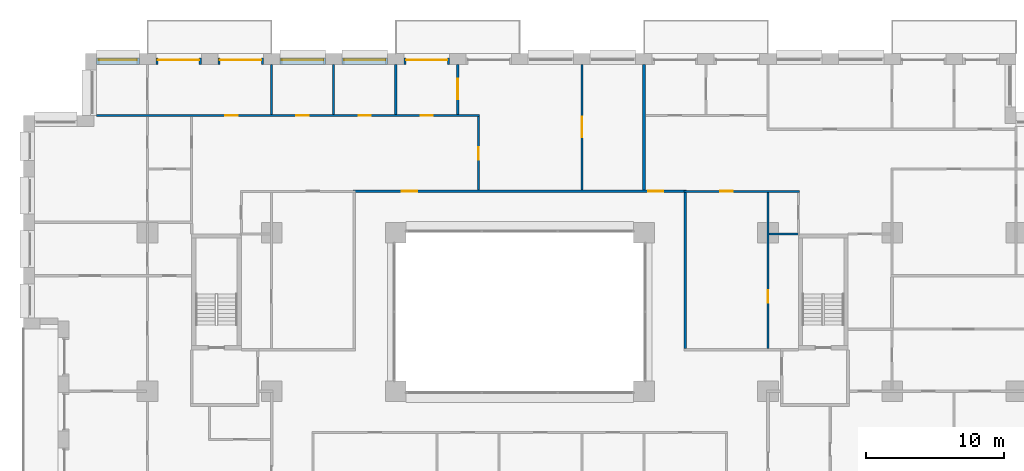
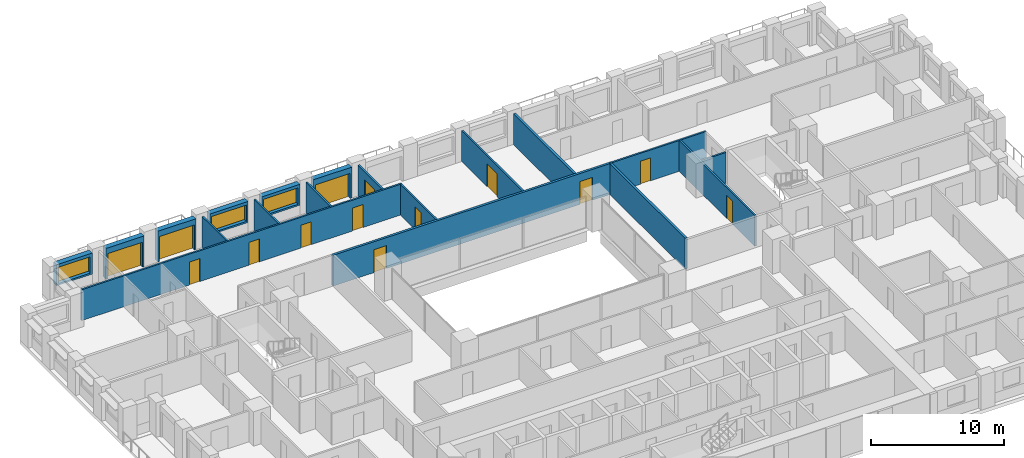
# One storey, part 15 of 21: 19 walls, 14 doors, 3 windows, 17 openings.
"""IFC4 building model written with IfcOpenShell, lengths in metres."""

import ifcopenshell
import ifcopenshell.guid

model = None  # the IFC model being written
_history = None  # IfcOwnerHistory: only IFC2X3 demands one
_inside = {}  # id of a spatial element -> (the spatial element, [elements in it])
_under = {}  # id of a project, library or spatial element -> (it, [spatial elements below it])
_declared = {}  # id of a project -> (the project, [libraries it declares])
_typed = {}  # id of a type object -> (the type object, [elements of that type])
_made_of = {}  # id of a material, layer set ... -> (it, [elements and type objects made of it])


def new_model(schema):
    """Start an empty IFC model of exactly this schema.

    Asked for "IFC4X3", IfcOpenShell would pick the latest addendum, in which some entities
    have other attributes; the version numbers below select the first issue.
    IFC2X3 requires an IfcOwnerHistory on every rooted entity: one is made here for all.
    """
    global model, _history
    if schema == "IFC4X3":
        model = ifcopenshell.file(schema_version=(4, 3, 0, 0))
    else:
        model = ifcopenshell.file(schema=schema)
    _inside.clear()
    _under.clear()
    _declared.clear()
    _typed.clear()
    _made_of.clear()
    _history = None
    if model.schema == "IFC2X3":
        org = make("IfcOrganization", Name="unknown")
        user = make(
            "IfcPersonAndOrganization",
            ThePerson=make("IfcPerson", FamilyName="unknown"),
            TheOrganization=org,
        )
        app = make(
            "IfcApplication",
            ApplicationDeveloper=org,
            Version="unknown",
            ApplicationFullName="unknown",
            ApplicationIdentifier="unknown",
        )
        _history = make(
            "IfcOwnerHistory",
            OwningUser=user,
            OwningApplication=app,
            ChangeAction="ADDED",
            CreationDate=0,
        )
    return model


def make(cls, **values):
    """One entity of the class cls with the attributes given. An attribute that is None is left unset."""
    return model.create_entity(
        cls, **{name: value for name, value in values.items() if value is not None}
    )


def rooted(cls, **values):
    """An entity with a GlobalId (a new one), such as an element, a storey or a relation."""
    return make(cls, GlobalId=ifcopenshell.guid.new(), OwnerHistory=_history, **values)


def si_unit(unit_type, name, prefix=None):
    """IfcSIUnit, for example si_unit("LENGTHUNIT", "METRE", prefix="MILLI")."""
    return make("IfcSIUnit", UnitType=unit_type, Prefix=prefix, Name=name)


def assignment(units):
    """IfcUnitAssignment: the units of a project."""
    return None if units is None else make("IfcUnitAssignment", Units=units)


def point(xyz):
    """IfcCartesianPoint."""
    return None if xyz is None else make("IfcCartesianPoint", Coordinates=xyz)


def direction(xyz):
    """IfcDirection."""
    return None if xyz is None else make("IfcDirection", DirectionRatios=xyz)


def frame(location, z_axis=None, x_axis=None):
    """IfcAxis2Placement3D, a coordinate frame: its origin and axes. An axis left out is left unset."""
    return make(
        "IfcAxis2Placement3D",
        Location=point(location),
        Axis=direction(z_axis),
        RefDirection=direction(x_axis),
    )


def frame_2d(location, x_axis=None):
    """IfcAxis2Placement2D, a coordinate frame in the plane: its origin and x axis."""
    return make(
        "IfcAxis2Placement2D", Location=point(location), RefDirection=direction(x_axis)
    )


def origin():
    """The frame at (0, 0, 0) with its axes left unset."""
    return frame((0.0, 0.0, 0.0))


def place(relative_to, where):
    """IfcLocalPlacement: puts the frame where relative to a parent placement (None: the world)."""
    return make(
        "IfcLocalPlacement", PlacementRelTo=relative_to, RelativePlacement=where
    )


def context(
    kind, dimensions, precision=None, world=None, true_north=None, identifier=None
):
    """IfcGeometricRepresentationContext, for example the 3D "Model" context."""
    return make(
        "IfcGeometricRepresentationContext",
        ContextIdentifier=identifier,
        ContextType=kind,
        CoordinateSpaceDimension=dimensions,
        Precision=precision,
        WorldCoordinateSystem=world,
        TrueNorth=true_north,
    )


def subcontext(parent, identifier, kind, view, scale=None):
    """IfcGeometricRepresentationSubContext, for example "Body" below "Model"."""
    return make(
        "IfcGeometricRepresentationSubContext",
        ContextIdentifier=identifier,
        ContextType=kind,
        ParentContext=parent,
        TargetScale=scale,
        TargetView=view,
    )


def project(units=None, contexts=None):
    """IfcProject with its units and contexts."""
    return rooted(
        "IfcProject",
        Name="project",
        RepresentationContexts=contexts,
        UnitsInContext=assignment(units),
    )


def spatial(cls, under=None, at=None, **own):
    """A site, building, storey or space (cls), placed at a placement, below another one or the project."""
    s = rooted(cls, ObjectPlacement=at, **own)
    if under is not None:
        _under.setdefault(under.id(), (under, []))[1].append(s)
    return s


def profile(cls, at=None, kind="AREA", **sizes):
    """A parametric profile (cls). Its sizes go by their IFC names, for example OverallWidth=200.0."""
    return make(cls, ProfileType=kind, Position=at, **sizes)


def rectangle(**sizes):
    """IfcRectangleProfileDef."""
    return profile("IfcRectangleProfileDef", **sizes)


def extrude(swept, where, along, depth):
    """IfcExtrudedAreaSolid: the profile swept, set in the frame where, extruded along a direction by depth."""
    return make(
        "IfcExtrudedAreaSolid",
        SweptArea=swept,
        Position=where,
        ExtrudedDirection=direction(along),
        Depth=depth,
    )


def shape(context_of_items, identifier, shape_type, items):
    """IfcShapeRepresentation: the items that make up one representation, for example the "Body"."""
    return make(
        "IfcShapeRepresentation",
        ContextOfItems=context_of_items,
        RepresentationIdentifier=identifier,
        RepresentationType=shape_type,
        Items=items,
    )


def material(Name=None, Category=None):
    """IfcMaterial."""
    return make("IfcMaterial", Name=Name, Category=Category)


def layer(
    of_material, thickness, ventilated=None, Name=None, Category=None, Priority=None
):
    """IfcMaterialLayer: one layer of a wall or slab, of a material (None: an air gap)."""
    return make(
        "IfcMaterialLayer",
        Material=of_material,
        LayerThickness=thickness,
        IsVentilated=ventilated,
        Name=Name,
        Category=Category,
        Priority=Priority,
    )


def layer_set(layers, Name=None):
    """IfcMaterialLayerSet."""
    return make("IfcMaterialLayerSet", MaterialLayers=layers, LayerSetName=Name)


def made_of(thing, what):
    """Note that an element or type object is made of a material, layer set ...; save() writes the relation."""
    if what is not None:
        _made_of.setdefault(what.id(), (what, []))[1].append(thing)
    return thing


def type_object(cls, material=None, **own):
    """A type object (cls), such as IfcWallType, which elements share."""
    return made_of(rooted(cls, **own), material)


def element(
    cls,
    number,
    at=None,
    inside=None,
    cuts=None,
    type_object=None,
    material=None,
    context=None,
    identifier="Body",
    shape_type=None,
    held_by="IfcProductDefinitionShape",
    body=None,
    shapes=None,
    **own,
):
    """One element of the class cls, such as IfcWall. Its Tag is "e" and its number.

    at: its placement. inside: the storey or other place that contains it. cuts: it is an
    opening in that element (IfcRelVoidsElement). A single representation is given by context,
    identifier, shape_type and body (its items); several are given by shapes. held_by: the class
    of the entity that holds the representations. save() writes the other relations.
    """
    e = rooted(cls, Tag="e%d" % number, ObjectPlacement=at, **own)
    if body is not None:
        shapes = [shape(context, identifier, shape_type, body)]
    if shapes is not None:
        e.Representation = make(held_by, Representations=shapes)
    if inside is not None:
        _inside.setdefault(inside.id(), (inside, []))[1].append(e)
    if cuts is not None:
        rooted(
            "IfcRelVoidsElement", RelatingBuildingElement=cuts, RelatedOpeningElement=e
        )
    if type_object is not None:
        _typed.setdefault(type_object.id(), (type_object, []))[1].append(e)
    return made_of(e, material)


def fill(opening, filler):
    """IfcRelFillsElement: the door or window that sits in an opening."""
    return rooted(
        "IfcRelFillsElement",
        RelatingOpeningElement=opening,
        RelatedBuildingElement=filler,
    )


def aggregate(whole, parts):
    """IfcRelAggregates: a whole, such as a stair, and the parts it consists of."""
    return rooted("IfcRelAggregates", RelatingObject=whole, RelatedObjects=parts)


def save(model, path):
    """Write the relations noted so far, then the file.

    IfcRelAggregates (storeys below a building ...), IfcRelContainedInSpatialStructure (elements
    in a storey), IfcRelDefinesByType, IfcRelAssociatesMaterial and IfcRelDeclares: one each for
    every whole, place, type object, material and project.
    """
    for whole, parts in _under.values():
        aggregate(whole, parts)
    for where, things in _inside.values():
        rooted(
            "IfcRelContainedInSpatialStructure",
            RelatedElements=things,
            RelatingStructure=where,
        )
    for kind, things in _typed.values():
        rooted("IfcRelDefinesByType", RelatedObjects=things, RelatingType=kind)
    for what, things in _made_of.values():
        rooted("IfcRelAssociatesMaterial", RelatedObjects=things, RelatingMaterial=what)
    for by, libraries in _declared.values():
        rooted("IfcRelDeclares", RelatingContext=by, RelatedDefinitions=libraries)
    model.write(path)


model = new_model("IFC4")

# Units and contexts
model_context = context("Model", 3, precision=1e-05, world=origin(), true_north=direction((0.0, 1.0)))
body_context = subcontext(model_context, "Body", "Model", "MODEL_VIEW")
ifc_project = project(units=[si_unit("LENGTHUNIT", "METRE"), si_unit("AREAUNIT", "SQUARE_METRE"), si_unit("VOLUMEUNIT", "CUBIC_METRE"), si_unit("PLANEANGLEUNIT", "RADIAN"), si_unit("MASSUNIT", "GRAM", prefix="KILO")], contexts=[model_context])

# Site, building, storey
site_placement = place(None, origin())
site = spatial("IfcSite", under=ifc_project, at=site_placement, CompositionType="ELEMENT")
building_placement = place(site_placement, origin())
building = spatial("IfcBuilding", under=site, at=building_placement, Name="Brigalow Station Residences", CompositionType="ELEMENT")
storey_placement = place(building_placement, frame((0.0, 0.0, 51.0)))
storey = spatial("IfcBuildingStorey", under=building, at=storey_placement, Name="L14", CompositionType="ELEMENT", Elevation=51.0)

# Wall, opening, door
ifc_material_1 = material(Name="Clay brick masonry", Category="masonry")
ifc_layer_1 = layer(ifc_material_1, 0.449951171875)
ifc_layer_set_1 = layer_set([ifc_layer_1], Name="BRICK INFILL WALL 450")
wall_type_1 = type_object("IfcWallType", Name="BRICK INFILL WALL 450", PredefinedType="SOLIDWALL", material=ifc_layer_set_1)
wall_1_placement = place(storey_placement, frame((30.89990234375, 47.925048828125, 0.0), z_axis=(0.0, 0.0, 1.0), x_axis=(-1.0, 0.0, 0.0)))
wall_1 = element("IfcWall", 1, at=wall_1_placement, inside=storey, type_object=wall_type_1, Name="L14/ewall/W-L14-34", PredefinedType="SOLIDWALL", context=body_context, shape_type="SweptSolid", body=[
    extrude(rectangle(XDim=3.2998046875, YDim=0.449951171875, at=frame_2d((1.64990234375, 0.0))), origin(), (0.0, 0.0, 1.0), 2.830078125),
])
opening_1_placement = place(wall_1_placement, frame((0.14990234375, 0.0, 0.0)))
opening_1 = element("IfcOpeningElement", 2, at=opening_1_placement, cuts=wall_1, Name="Opening D-B3000", PredefinedType="OPENING", context=body_context, shape_type="SweptSolid", body=[
    extrude(rectangle(XDim=3.0, YDim=2.300048828125, at=frame_2d((1.5, 1.14990234375))), frame((0.0, 0.23486328125, 0.0), z_axis=(0.0, -1.0, 0.0), x_axis=(1.0, 0.0, 0.0)), (0.0, 0.0, 1.0), 0.469970703125),
])
ifc_material_2 = material(Name="Anodised aluminium frame with double glazing", Category="aluminium")
door_type_1 = type_object("IfcDoorType", Name="BALCONY SLIDING DOOR 3000x2300", OperationType="SLIDING_TO_LEFT", PredefinedType="DOOR", material=ifc_material_2)
door_1_placement = place(opening_1_placement, origin())
door_1 = element("IfcDoor", 3, at=door_1_placement, inside=storey, type_object=door_type_1, Name="L14/balcony-door/W-L14-34", OperationType="SLIDING_TO_LEFT", OverallHeight=2.300048828125, OverallWidth=3.0, PredefinedType="DOOR", context=body_context, shape_type="SweptSolid", body=[
    extrude(rectangle(XDim=3.0, YDim=2.300048828125, at=frame_2d((1.5, 1.14990234375))), frame((0.0, -0.06982421875, 0.0), z_axis=(0.0, -1.0, 0.0), x_axis=(1.0, 0.0, 0.0)), (0.0, 0.0, 1.0), 0.050048828125),
])
fill(opening_1, door_1)

# Wall, opening, window
wall_2_placement = place(storey_placement, frame((26.39990234375, 47.925048828125, 0.89990234375), z_axis=(0.0, 0.0, 1.0), x_axis=(-1.0, 0.0, 0.0)))
wall_2 = element("IfcWall", 4, at=wall_2_placement, inside=storey, type_object=wall_type_1, Name="L14/ewall/W-L14-35", PredefinedType="SOLIDWALL", context=body_context, shape_type="SweptSolid", body=[
    extrude(rectangle(XDim=3.2998046875, YDim=0.449951171875, at=frame_2d((1.64990234375, 0.0))), origin(), (0.0, 0.0, 1.0), 1.93017578125),
])
opening_2_placement = place(wall_2_placement, frame((0.14990234375, 0.0, 0.14990234375)))
opening_2 = element("IfcOpeningElement", 5, at=opening_2_placement, cuts=wall_2, Name="Opening WT-2", PredefinedType="OPENING", context=body_context, shape_type="SweptSolid", body=[
    extrude(rectangle(XDim=3.0, YDim=1.5, at=frame_2d((1.5, 0.75))), frame((0.0, 0.23486328125, 0.0), z_axis=(0.0, -1.0, 0.0), x_axis=(1.0, 0.0, 0.0)), (0.0, 0.0, 1.0), 0.469970703125),
])
ifc_material_3 = material(Name="Anodised aluminium frame with double glazing", Category="aluminium")
window_type_1 = type_object("IfcWindowType", Name="WINDOW 3000x1500", PartitioningType="SINGLE_PANEL", PredefinedType="WINDOW", material=ifc_material_3)
window_1_placement = place(opening_2_placement, origin())
window_1 = element("IfcWindow", 6, at=window_1_placement, inside=storey, type_object=window_type_1, Name="L14/window/W-L14-35", OverallHeight=1.5, OverallWidth=3.0, PartitioningType="SINGLE_PANEL", PredefinedType="WINDOW", context=body_context, shape_type="SweptSolid", body=[
    extrude(rectangle(XDim=3.0, YDim=1.5, at=frame_2d((1.5, 0.75))), frame((0.0, -0.06494140625, 0.0), z_axis=(0.0, -1.0, 0.0), x_axis=(1.0, 0.0, 0.0)), (0.0, 0.0, 1.0), 0.06005859375),
])
fill(opening_2, window_1)

wall_3_placement = place(storey_placement, frame((21.89990234375, 47.925048828125, 0.89990234375), z_axis=(0.0, 0.0, 1.0), x_axis=(-1.0, 0.0, 0.0)))
wall_3 = element("IfcWall", 7, at=wall_3_placement, inside=storey, type_object=wall_type_1, Name="L14/ewall/W-L14-36", PredefinedType="SOLIDWALL", context=body_context, shape_type="SweptSolid", body=[
    extrude(rectangle(XDim=3.2998046875, YDim=0.449951171875, at=frame_2d((1.64990234375, 0.0))), origin(), (0.0, 0.0, 1.0), 1.93017578125),
])
opening_3_placement = place(wall_3_placement, frame((0.14990234375, 0.0, 0.14990234375)))
opening_3 = element("IfcOpeningElement", 8, at=opening_3_placement, cuts=wall_3, Name="Opening WT-2", PredefinedType="OPENING", context=body_context, shape_type="SweptSolid", body=[
    extrude(rectangle(XDim=3.0, YDim=1.5, at=frame_2d((1.5, 0.75))), frame((0.0, 0.23486328125, 0.0), z_axis=(0.0, -1.0, 0.0), x_axis=(1.0, 0.0, 0.0)), (0.0, 0.0, 1.0), 0.469970703125),
])
window_2_placement = place(opening_3_placement, origin())
window_2 = element("IfcWindow", 9, at=window_2_placement, inside=storey, type_object=window_type_1, Name="L14/window/W-L14-36", OverallHeight=1.5, OverallWidth=3.0, PartitioningType="SINGLE_PANEL", PredefinedType="WINDOW", context=body_context, shape_type="SweptSolid", body=[
    extrude(rectangle(XDim=3.0, YDim=1.5, at=frame_2d((1.5, 0.75))), frame((0.0, -0.06494140625, 0.0), z_axis=(0.0, -1.0, 0.0), x_axis=(1.0, 0.0, 0.0)), (0.0, 0.0, 1.0), 0.06005859375),
])
fill(opening_3, window_2)

# Wall, opening, door
wall_4_placement = place(storey_placement, frame((17.39990234375, 47.925048828125, 0.0), z_axis=(0.0, 0.0, 1.0), x_axis=(-1.0, 0.0, 0.0)))
wall_4 = element("IfcWall", 10, at=wall_4_placement, inside=storey, type_object=wall_type_1, Name="L14/ewall/W-L14-37", PredefinedType="SOLIDWALL", context=body_context, shape_type="SweptSolid", body=[
    extrude(rectangle(XDim=3.2998046875, YDim=0.449951171875, at=frame_2d((1.64990234375, 0.0))), origin(), (0.0, 0.0, 1.0), 2.830078125),
])
opening_4_placement = place(wall_4_placement, frame((0.14990234375, 0.0, 0.0)))
opening_4 = element("IfcOpeningElement", 11, at=opening_4_placement, cuts=wall_4, Name="Opening D-B3000", PredefinedType="OPENING", context=body_context, shape_type="SweptSolid", body=[
    extrude(rectangle(XDim=3.0, YDim=2.300048828125, at=frame_2d((1.5, 1.14990234375))), frame((0.0, 0.23486328125, 0.0), z_axis=(0.0, -1.0, 0.0), x_axis=(1.0, 0.0, 0.0)), (0.0, 0.0, 1.0), 0.469970703125),
])
door_2_placement = place(opening_4_placement, origin())
door_2 = element("IfcDoor", 12, at=door_2_placement, inside=storey, type_object=door_type_1, Name="L14/balcony-door/W-L14-37", OperationType="SLIDING_TO_LEFT", OverallHeight=2.300048828125, OverallWidth=3.0, PredefinedType="DOOR", context=body_context, shape_type="SweptSolid", body=[
    extrude(rectangle(XDim=3.0, YDim=2.300048828125, at=frame_2d((1.5, 1.14990234375))), frame((0.0, -0.06982421875, 0.0), z_axis=(0.0, -1.0, 0.0), x_axis=(1.0, 0.0, 0.0)), (0.0, 0.0, 1.0), 0.050048828125),
])
fill(opening_4, door_2)

wall_5_placement = place(storey_placement, frame((12.89990234375, 47.925048828125, 0.0), z_axis=(0.0, 0.0, 1.0), x_axis=(-1.0, 0.0, 0.0)))
wall_5 = element("IfcWall", 13, at=wall_5_placement, inside=storey, type_object=wall_type_1, Name="L14/ewall/W-L14-38", PredefinedType="SOLIDWALL", context=body_context, shape_type="SweptSolid", body=[
    extrude(rectangle(XDim=3.2998046875, YDim=0.449951171875, at=frame_2d((1.64990234375, 0.0))), origin(), (0.0, 0.0, 1.0), 2.830078125),
])
opening_5_placement = place(wall_5_placement, frame((0.14990234375, 0.0, 0.0)))
opening_5 = element("IfcOpeningElement", 14, at=opening_5_placement, cuts=wall_5, Name="Opening D-B3000", PredefinedType="OPENING", context=body_context, shape_type="SweptSolid", body=[
    extrude(rectangle(XDim=3.0, YDim=2.300048828125, at=frame_2d((1.5, 1.14990234375))), frame((0.0, 0.23486328125, 0.0), z_axis=(0.0, -1.0, 0.0), x_axis=(1.0, 0.0, 0.0)), (0.0, 0.0, 1.0), 0.469970703125),
])
door_3_placement = place(opening_5_placement, origin())
door_3 = element("IfcDoor", 15, at=door_3_placement, inside=storey, type_object=door_type_1, Name="L14/balcony-door/W-L14-38", OperationType="SLIDING_TO_LEFT", OverallHeight=2.300048828125, OverallWidth=3.0, PredefinedType="DOOR", context=body_context, shape_type="SweptSolid", body=[
    extrude(rectangle(XDim=3.0, YDim=2.300048828125, at=frame_2d((1.5, 1.14990234375))), frame((0.0, -0.06982421875, 0.0), z_axis=(0.0, -1.0, 0.0), x_axis=(1.0, 0.0, 0.0)), (0.0, 0.0, 1.0), 0.050048828125),
])
fill(opening_5, door_3)

# Wall, opening, window
wall_6_placement = place(storey_placement, frame((8.39990234375, 47.925048828125, 0.89990234375), z_axis=(0.0, 0.0, 1.0), x_axis=(-1.0, 0.0, 0.0)))
wall_6 = element("IfcWall", 16, at=wall_6_placement, inside=storey, type_object=wall_type_1, Name="L14/ewall/W-L14-39", PredefinedType="SOLIDWALL", context=body_context, shape_type="SweptSolid", body=[
    extrude(rectangle(XDim=3.099853515625, YDim=0.449951171875, at=frame_2d((1.5498046875, 0.0))), origin(), (0.0, 0.0, 1.0), 1.93017578125),
])
opening_6_placement = place(wall_6_placement, frame((0.175048828125, 0.0, 0.14990234375)))
opening_6 = element("IfcOpeningElement", 17, at=opening_6_placement, cuts=wall_6, Name="Opening WT-3", PredefinedType="OPENING", context=body_context, shape_type="SweptSolid", body=[
    extrude(rectangle(XDim=2.75, YDim=1.5, at=frame_2d((1.375, 0.75))), frame((0.0, 0.23486328125, 0.0), z_axis=(0.0, -1.0, 0.0), x_axis=(1.0, 0.0, 0.0)), (0.0, 0.0, 1.0), 0.469970703125),
])
ifc_material_4 = material(Name="Anodised aluminium frame with double glazing", Category="aluminium")
window_type_2 = type_object("IfcWindowType", Name="WINDOW 2750x1500", PartitioningType="SINGLE_PANEL", PredefinedType="WINDOW", material=ifc_material_4)
window_3_placement = place(opening_6_placement, origin())
window_3 = element("IfcWindow", 18, at=window_3_placement, inside=storey, type_object=window_type_2, Name="L14/window/W-L14-39", OverallHeight=1.5, OverallWidth=2.75, PartitioningType="SINGLE_PANEL", PredefinedType="WINDOW", context=body_context, shape_type="SweptSolid", body=[
    extrude(rectangle(XDim=2.75, YDim=1.5, at=frame_2d((1.375, 0.75))), frame((0.0, -0.06494140625, 0.0), z_axis=(0.0, -1.0, 0.0), x_axis=(1.0, 0.0, 0.0)), (0.0, 0.0, 1.0), 0.06005859375),
])
fill(opening_6, window_3)

# Wall, opening, door
ifc_material_5 = material(Name="Plasterboard on steel stud partition", Category="steel")
ifc_layer_2 = layer(ifc_material_5, 0.14990234375)
ifc_layer_set_2 = layer_set([ifc_layer_2], Name="FLAT PARTITION 150")
wall_type_2 = type_object("IfcWallType", Name="FLAT PARTITION 150", PredefinedType="PARTITIONING", material=ifc_layer_set_2)
wall_7_placement = place(storey_placement, frame((47.89990234375, 38.5, 0.0), z_axis=(0.0, 0.0, 1.0), x_axis=(1.0, 0.0, 0.0)))
wall_7 = element("IfcWall", 19, at=wall_7_placement, inside=storey, type_object=wall_type_2, Name="PW-1D09", PredefinedType="PARTITIONING", context=body_context, shape_type="SweptSolid", body=[
    extrude(rectangle(XDim=8.375, YDim=0.14990234375, at=frame_2d((4.1875, 0.0))), origin(), (0.0, 0.0, 1.0), 2.830078125),
])
opening_7_placement = place(wall_7_placement, frame((2.64990234375, 0.0, 0.0)))
opening_7 = element("IfcOpeningElement", 20, at=opening_7_placement, cuts=wall_7, Name="Opening D-1D39", PredefinedType="OPENING", context=body_context, shape_type="SweptSolid", body=[
    extrude(rectangle(XDim=0.89990234375, YDim=2.10009765625, at=frame_2d((0.449951171875, 1.050048828125))), frame((0.0, 0.0849609375, 0.0), z_axis=(0.0, -1.0, 0.0), x_axis=(1.0, 0.0, 0.0)), (0.0, 0.0, 1.0), 0.169921875),
])
ifc_material_6 = material(Name="Solid-core timber door leaf", Category="wood")
door_type_2 = type_object("IfcDoorType", Name="INTERNAL DOOR 900 x 2100", OperationType="SINGLE_SWING_LEFT", PredefinedType="DOOR", material=ifc_material_6)
door_4_placement = place(opening_7_placement, frame((0.89990234375, 0.0, 0.0), z_axis=(0.0, 0.0, 1.0), x_axis=(-1.0, 0.0, 0.0)))
door_4 = element("IfcDoor", 21, at=door_4_placement, inside=storey, type_object=door_type_2, Name="D-1D39", OperationType="SINGLE_SWING_RIGHT", OverallHeight=2.10009765625, OverallWidth=0.89990234375, PredefinedType="DOOR", context=body_context, shape_type="SweptSolid", body=[
    extrude(rectangle(XDim=0.89990234375, YDim=2.10009765625, at=frame_2d((0.449951171875, 1.050048828125))), frame((0.0, 0.02490234375, 0.0), z_axis=(0.0, -1.0, 0.0), x_axis=(1.0, 0.0, 0.0)), (0.0, 0.0, 1.0), 0.050048828125),
])
fill(opening_7, door_4)

# Wall, openings, doors
wall_8_placement = place(storey_placement, frame((5.300048828125, 44.0, 0.0), z_axis=(0.0, 0.0, 1.0), x_axis=(1.0, 0.0, 0.0)))
wall_8 = element("IfcWall", 22, at=wall_8_placement, inside=storey, type_object=wall_type_2, Name="PW-1D21", PredefinedType="PARTITIONING", context=body_context, shape_type="SweptSolid", body=[
    extrude(rectangle(XDim=27.77490234375, YDim=0.14990234375, at=frame_2d((13.887451171875, 0.0))), origin(), (0.0, 0.0, 1.0), 2.830078125),
])
opening_8_placement = place(wall_8_placement, frame((14.5, 0.0, 0.0)))
opening_8 = element("IfcOpeningElement", 23, at=opening_8_placement, cuts=wall_8, Name="Opening D-1D18", PredefinedType="OPENING", context=body_context, shape_type="SweptSolid", body=[
    extrude(rectangle(XDim=0.89990234375, YDim=2.10009765625, at=frame_2d((0.449951171875, 1.050048828125))), frame((0.0, 0.0849609375, 0.0), z_axis=(0.0, -1.0, 0.0), x_axis=(1.0, 0.0, 0.0)), (0.0, 0.0, 1.0), 0.169921875),
])
opening_9_placement = place(wall_8_placement, frame((19.0, 0.0, 0.0)))
opening_9 = element("IfcOpeningElement", 24, at=opening_9_placement, cuts=wall_8, Name="Opening D-1D19", PredefinedType="OPENING", context=body_context, shape_type="SweptSolid", body=[
    extrude(rectangle(XDim=0.89990234375, YDim=2.10009765625, at=frame_2d((0.449951171875, 1.050048828125))), frame((0.0, 0.0849609375, 0.0), z_axis=(0.0, -1.0, 0.0), x_axis=(1.0, 0.0, 0.0)), (0.0, 0.0, 1.0), 0.169921875),
])
opening_10_placement = place(wall_8_placement, frame((9.35009765625, 0.0, 0.0)))
opening_10 = element("IfcOpeningElement", 25, at=opening_10_placement, cuts=wall_8, Name="Opening D-1D20", PredefinedType="OPENING", context=body_context, shape_type="SweptSolid", body=[
    extrude(rectangle(XDim=0.89990234375, YDim=2.10009765625, at=frame_2d((0.449951171875, 1.050048828125))), frame((0.0, 0.0849609375, 0.0), z_axis=(0.0, -1.0, 0.0), x_axis=(1.0, 0.0, 0.0)), (0.0, 0.0, 1.0), 0.169921875),
])
opening_11_placement = place(wall_8_placement, frame((23.5, 0.0, 0.0)))
opening_11 = element("IfcOpeningElement", 26, at=opening_11_placement, cuts=wall_8, Name="Opening D-1D30", PredefinedType="OPENING", context=body_context, shape_type="SweptSolid", body=[
    extrude(rectangle(XDim=0.89990234375, YDim=2.10009765625, at=frame_2d((0.449951171875, 1.050048828125))), frame((0.0, 0.0849609375, 0.0), z_axis=(0.0, -1.0, 0.0), x_axis=(1.0, 0.0, 0.0)), (0.0, 0.0, 1.0), 0.169921875),
])
door_5_placement = place(opening_8_placement, origin())
door_5 = element("IfcDoor", 27, at=door_5_placement, inside=storey, type_object=door_type_2, Name="D-1D18", OperationType="SINGLE_SWING_LEFT", OverallHeight=2.10009765625, OverallWidth=0.89990234375, PredefinedType="DOOR", context=body_context, shape_type="SweptSolid", body=[
    extrude(rectangle(XDim=0.89990234375, YDim=2.10009765625, at=frame_2d((0.449951171875, 1.050048828125))), frame((0.0, 0.02490234375, 0.0), z_axis=(0.0, -1.0, 0.0), x_axis=(1.0, 0.0, 0.0)), (0.0, 0.0, 1.0), 0.050048828125),
])
fill(opening_8, door_5)
door_6_placement = place(opening_9_placement, origin())
door_6 = element("IfcDoor", 28, at=door_6_placement, inside=storey, type_object=door_type_2, Name="D-1D19", OperationType="SINGLE_SWING_RIGHT", OverallHeight=2.10009765625, OverallWidth=0.89990234375, PredefinedType="DOOR", context=body_context, shape_type="SweptSolid", body=[
    extrude(rectangle(XDim=0.89990234375, YDim=2.10009765625, at=frame_2d((0.449951171875, 1.050048828125))), frame((0.0, 0.02490234375, 0.0), z_axis=(0.0, -1.0, 0.0), x_axis=(1.0, 0.0, 0.0)), (0.0, 0.0, 1.0), 0.050048828125),
])
fill(opening_9, door_6)
door_7_placement = place(opening_10_placement, origin())
door_7 = element("IfcDoor", 29, at=door_7_placement, inside=storey, type_object=door_type_2, Name="D-1D20", OperationType="SINGLE_SWING_RIGHT", OverallHeight=2.10009765625, OverallWidth=0.89990234375, PredefinedType="DOOR", context=body_context, shape_type="SweptSolid", body=[
    extrude(rectangle(XDim=0.89990234375, YDim=2.10009765625, at=frame_2d((0.449951171875, 1.050048828125))), frame((0.0, 0.02490234375, 0.0), z_axis=(0.0, -1.0, 0.0), x_axis=(1.0, 0.0, 0.0)), (0.0, 0.0, 1.0), 0.050048828125),
])
fill(opening_10, door_7)
door_8_placement = place(opening_11_placement, origin())
door_8 = element("IfcDoor", 30, at=door_8_placement, inside=storey, type_object=door_type_2, Name="D-1D30", OperationType="SINGLE_SWING_RIGHT", OverallHeight=2.10009765625, OverallWidth=0.89990234375, PredefinedType="DOOR", context=body_context, shape_type="SweptSolid", body=[
    extrude(rectangle(XDim=0.89990234375, YDim=2.10009765625, at=frame_2d((0.449951171875, 1.050048828125))), frame((0.0, 0.02490234375, 0.0), z_axis=(0.0, -1.0, 0.0), x_axis=(1.0, 0.0, 0.0)), (0.0, 0.0, 1.0), 0.050048828125),
])
fill(opening_11, door_8)

# Walls
wall_9_placement = place(storey_placement, frame((54.074951171875, 35.39990234375, 0.0), z_axis=(0.0, 0.0, 1.0), x_axis=(1.0, 0.0, 0.0)))
element("IfcWall", 31, at=wall_9_placement, inside=storey, type_object=wall_type_2, Name="PW-1D25", PredefinedType="PARTITIONING", context=body_context, shape_type="SweptSolid", body=[
    extrude(rectangle(XDim=2.125, YDim=0.14990234375, at=frame_2d((1.0625, 0.0))), origin(), (0.0, 0.0, 1.0), 2.830078125),
])
wall_10_placement = place(storey_placement, frame((18.0, 44.074951171875, 0.0), z_axis=(0.0, 0.0, 1.0), x_axis=(0.0, 1.0, 0.0)))
element("IfcWall", 32, at=wall_10_placement, inside=storey, type_object=wall_type_2, Name="PW-1D37", PredefinedType="PARTITIONING", context=body_context, shape_type="SweptSolid", body=[
    extrude(rectangle(XDim=3.625, YDim=0.14990234375, at=frame_2d((1.8125, 0.0))), origin(), (0.0, 0.0, 1.0), 2.830078125),
])

# Wall, opening, door
wall_11_placement = place(storey_placement, frame((54.0, 27.10009765625, 0.0), z_axis=(0.0, 0.0, 1.0), x_axis=(0.0, 1.0, 0.0)))
wall_11 = element("IfcWall", 33, at=wall_11_placement, inside=storey, type_object=wall_type_2, Name="PW-1D39", PredefinedType="PARTITIONING", context=body_context, shape_type="SweptSolid", body=[
    extrude(rectangle(XDim=11.324951171875, YDim=0.14990234375, at=frame_2d((5.66259765625, 0.0))), origin(), (0.0, 0.0, 1.0), 2.830078125),
])
opening_12_placement = place(wall_11_placement, frame((3.324951171875, 0.0, 0.0)))
opening_12 = element("IfcOpeningElement", 34, at=opening_12_placement, cuts=wall_11, Name="Opening D-1D46", PredefinedType="OPENING", context=body_context, shape_type="SweptSolid", body=[
    extrude(rectangle(XDim=0.89990234375, YDim=2.10009765625, at=frame_2d((0.449951171875, 1.050048828125))), frame((0.0, 0.0849609375, 0.0), z_axis=(0.0, -1.0, 0.0), x_axis=(1.0, 0.0, 0.0)), (0.0, 0.0, 1.0), 0.169921875),
])
door_9_placement = place(opening_12_placement, frame((0.89990234375, 0.0, 0.0), z_axis=(0.0, 0.0, 1.0), x_axis=(-1.0, 0.0, 0.0)))
door_9 = element("IfcDoor", 35, at=door_9_placement, inside=storey, type_object=door_type_2, Name="D-1D46", OperationType="SINGLE_SWING_RIGHT", OverallHeight=2.10009765625, OverallWidth=0.89990234375, PredefinedType="DOOR", context=body_context, shape_type="SweptSolid", body=[
    extrude(rectangle(XDim=0.89990234375, YDim=2.10009765625, at=frame_2d((0.449951171875, 1.050048828125))), frame((0.0, 0.02490234375, 0.0), z_axis=(0.0, -1.0, 0.0), x_axis=(1.0, 0.0, 0.0)), (0.0, 0.0, 1.0), 0.050048828125),
])
fill(opening_12, door_9)

wall_12_placement = place(storey_placement, frame((33.0, 38.60009765625, 0.0), z_axis=(0.0, 0.0, 1.0), x_axis=(0.0, 1.0, 0.0)))
wall_12 = element("IfcWall", 36, at=wall_12_placement, inside=storey, type_object=wall_type_2, Name="PW-1D58", PredefinedType="PARTITIONING", context=body_context, shape_type="SweptSolid", body=[
    extrude(rectangle(XDim=5.324951171875, YDim=0.14990234375, at=frame_2d((2.66259765625, 0.0))), origin(), (0.0, 0.0, 1.0), 2.830078125),
])
opening_13_placement = place(wall_12_placement, frame((2.199951171875, 0.0, 0.0)))
opening_13 = element("IfcOpeningElement", 37, at=opening_13_placement, cuts=wall_12, Name="Opening D-1D26", PredefinedType="OPENING", context=body_context, shape_type="SweptSolid", body=[
    extrude(rectangle(XDim=0.89990234375, YDim=2.10009765625, at=frame_2d((0.449951171875, 1.050048828125))), frame((0.0, 0.0849609375, 0.0), z_axis=(0.0, -1.0, 0.0), x_axis=(1.0, 0.0, 0.0)), (0.0, 0.0, 1.0), 0.169921875),
])
door_10_placement = place(opening_13_placement, frame((0.89990234375, 0.0, 0.0), z_axis=(0.0, 0.0, 1.0), x_axis=(-1.0, 0.0, 0.0)))
door_10 = element("IfcDoor", 38, at=door_10_placement, inside=storey, type_object=door_type_2, Name="D-1D26", OperationType="SINGLE_SWING_RIGHT", OverallHeight=2.10009765625, OverallWidth=0.89990234375, PredefinedType="DOOR", context=body_context, shape_type="SweptSolid", body=[
    extrude(rectangle(XDim=0.89990234375, YDim=2.10009765625, at=frame_2d((0.449951171875, 1.050048828125))), frame((0.0, 0.02490234375, 0.0), z_axis=(0.0, -1.0, 0.0), x_axis=(1.0, 0.0, 0.0)), (0.0, 0.0, 1.0), 0.050048828125),
])
fill(opening_13, door_10)

# Walls
for number, where, z_axis, x_axis, name in (
    (39, (22.5, 44.074951171875, 0.0), (0.0, 0.0, 1.0), (0.0, 1.0, 0.0), "PW-1D60"),
    (40, (27.0, 44.074951171875, 0.0), (0.0, 0.0, 1.0), (0.0, 1.0, 0.0), "PW-1D61"),
):
    element("IfcWall", number, at=place(storey_placement, frame(where, z_axis=z_axis, x_axis=x_axis)), inside=storey, type_object=wall_type_2, Name=name, PredefinedType="PARTITIONING", context=body_context, shape_type="SweptSolid", body=[
        extrude(rectangle(XDim=3.625, YDim=0.14990234375, at=frame_2d((1.8125, 0.0))), origin(), (0.0, 0.0, 1.0), 2.830078125),
    ])

# Wall, opening, door
wall_13_placement = place(storey_placement, frame((31.5, 44.074951171875, 0.0), z_axis=(0.0, 0.0, 1.0), x_axis=(0.0, 1.0, 0.0)))
wall_13 = element("IfcWall", 41, at=wall_13_placement, inside=storey, type_object=wall_type_2, Name="PW-1D62", PredefinedType="PARTITIONING", context=body_context, shape_type="SweptSolid", body=[
    extrude(rectangle(XDim=3.625, YDim=0.14990234375, at=frame_2d((1.8125, 0.0))), origin(), (0.0, 0.0, 1.0), 2.830078125),
])
opening_14_placement = place(wall_13_placement, frame((1.10009765625, 0.0, 0.0)))
opening_14 = element("IfcOpeningElement", 42, at=opening_14_placement, cuts=wall_13, Name="Opening D-1D27", PredefinedType="OPENING", context=body_context, shape_type="SweptSolid", body=[
    extrude(rectangle(XDim=1.5, YDim=2.10009765625, at=frame_2d((0.75, 1.050048828125))), frame((0.0, 0.0849609375, 0.0), z_axis=(0.0, -1.0, 0.0), x_axis=(1.0, 0.0, 0.0)), (0.0, 0.0, 1.0), 0.169921875),
])
ifc_material_7 = material(Name="Solid-core timber door leaf", Category="wood")
door_type_3 = type_object("IfcDoorType", Name="INTERNAL DOUBLE DOOR 1500 x 2100", OperationType="DOUBLE_DOOR_SINGLE_SWING", PredefinedType="DOOR", material=ifc_material_7)
door_11_placement = place(opening_14_placement, origin())
door_11 = element("IfcDoor", 43, at=door_11_placement, inside=storey, type_object=door_type_3, Name="D-1D27", OperationType="DOUBLE_DOOR_SINGLE_SWING", OverallHeight=2.10009765625, OverallWidth=1.5, PredefinedType="DOOR", context=body_context, shape_type="SweptSolid", body=[
    extrude(rectangle(XDim=1.5, YDim=2.10009765625, at=frame_2d((0.75, 1.050048828125))), frame((0.0, 0.02490234375, 0.0), z_axis=(0.0, -1.0, 0.0), x_axis=(1.0, 0.0, 0.0)), (0.0, 0.0, 1.0), 0.050048828125),
])
fill(opening_14, door_11)

wall_14_placement = place(storey_placement, frame((40.5, 38.60009765625, 0.0), z_axis=(0.0, 0.0, 1.0), x_axis=(0.0, 1.0, 0.0)))
wall_14 = element("IfcWall", 44, at=wall_14_placement, inside=storey, type_object=wall_type_2, Name="PW-1D64", PredefinedType="PARTITIONING", context=body_context, shape_type="SweptSolid", body=[
    extrude(rectangle(XDim=9.099853515625, YDim=0.14990234375, at=frame_2d((4.5498046875, 0.0))), origin(), (0.0, 0.0, 1.0), 2.830078125),
])
opening_15_placement = place(wall_14_placement, frame((3.824951171875, 0.0, 0.0)))
opening_15 = element("IfcOpeningElement", 45, at=opening_15_placement, cuts=wall_14, Name="Opening D-1D28", PredefinedType="OPENING", context=body_context, shape_type="SweptSolid", body=[
    extrude(rectangle(XDim=1.5, YDim=2.10009765625, at=frame_2d((0.75, 1.050048828125))), frame((0.0, 0.0849609375, 0.0), z_axis=(0.0, -1.0, 0.0), x_axis=(1.0, 0.0, 0.0)), (0.0, 0.0, 1.0), 0.169921875),
])
door_12_placement = place(opening_15_placement, frame((1.5, 0.0, 0.0), z_axis=(0.0, 0.0, 1.0), x_axis=(-1.0, 0.0, 0.0)))
door_12 = element("IfcDoor", 46, at=door_12_placement, inside=storey, type_object=door_type_3, Name="D-1D28", OperationType="DOUBLE_DOOR_SINGLE_SWING", OverallHeight=2.10009765625, OverallWidth=1.5, PredefinedType="DOOR", context=body_context, shape_type="SweptSolid", body=[
    extrude(rectangle(XDim=1.5, YDim=2.10009765625, at=frame_2d((0.75, 1.050048828125))), frame((0.0, 0.02490234375, 0.0), z_axis=(0.0, -1.0, 0.0), x_axis=(1.0, 0.0, 0.0)), (0.0, 0.0, 1.0), 0.050048828125),
])
fill(opening_15, door_12)

# Wall, openings, doors
ifc_material_8 = material(Name="Plasterboard on steel stud partition", Category="steel")
ifc_layer_3 = layer(ifc_material_8, 0.199951171875)
ifc_layer_set_3 = layer_set([ifc_layer_3], Name="PARTY AND CORRIDOR WALL 200")
wall_type_3 = type_object("IfcWallType", Name="PARTY AND CORRIDOR WALL 200", PredefinedType="PARTITIONING", material=ifc_layer_set_3)
wall_15_placement = place(storey_placement, frame((23.89990234375, 38.5, 0.0), z_axis=(0.0, 0.0, 1.0), x_axis=(1.0, 0.0, 0.0)))
wall_15 = element("IfcWall", 47, at=wall_15_placement, inside=storey, type_object=wall_type_3, Name="PW-1D10", PredefinedType="PARTITIONING", context=body_context, shape_type="SweptSolid", body=[
    extrude(rectangle(XDim=24.2001953125, YDim=0.199951171875, at=frame_2d((12.10009765625, 0.0))), origin(), (0.0, 0.0, 1.0), 2.830078125),
])
opening_16_placement = place(wall_15_placement, frame((3.550048828125, 0.0, 0.0)))
opening_16 = element("IfcOpeningElement", 48, at=opening_16_placement, cuts=wall_15, Name="Opening D-1D33", PredefinedType="OPENING", context=body_context, shape_type="SweptSolid", body=[
    extrude(rectangle(XDim=1.10009765625, YDim=2.10009765625, at=frame_2d((0.550048828125, 1.050048828125))), frame((0.0, 0.10986328125, 0.0), z_axis=(0.0, -1.0, 0.0), x_axis=(1.0, 0.0, 0.0)), (0.0, 0.0, 1.0), 0.219970703125),
])
opening_17_placement = place(wall_15_placement, frame((21.39990234375, 0.0, 0.0)))
opening_17 = element("IfcOpeningElement", 49, at=opening_17_placement, cuts=wall_15, Name="Opening D-1D48", PredefinedType="OPENING", context=body_context, shape_type="SweptSolid", body=[
    extrude(rectangle(XDim=1.10009765625, YDim=2.10009765625, at=frame_2d((0.550048828125, 1.050048828125))), frame((0.0, 0.10986328125, 0.0), z_axis=(0.0, -1.0, 0.0), x_axis=(1.0, 0.0, 0.0)), (0.0, 0.0, 1.0), 0.219970703125),
])
ifc_material_9 = material(Name="Solid-core timber door leaf", Category="wood")
door_type_4 = type_object("IfcDoorType", Name="FLAT ENTRANCE DOOR 1100 x 2100 FRL -/60/30", OperationType="SINGLE_SWING_LEFT", PredefinedType="DOOR", material=ifc_material_9)
door_13_placement = place(opening_16_placement, origin())
door_13 = element("IfcDoor", 50, at=door_13_placement, inside=storey, type_object=door_type_4, Name="D-1D33", OperationType="SINGLE_SWING_RIGHT", OverallHeight=2.10009765625, OverallWidth=1.10009765625, PredefinedType="DOOR", context=body_context, shape_type="SweptSolid", body=[
    extrude(rectangle(XDim=1.10009765625, YDim=2.10009765625, at=frame_2d((0.550048828125, 1.050048828125))), frame((0.0, 0.02490234375, 0.0), z_axis=(0.0, -1.0, 0.0), x_axis=(1.0, 0.0, 0.0)), (0.0, 0.0, 1.0), 0.050048828125),
])
fill(opening_16, door_13)
door_14_placement = place(opening_17_placement, origin())
door_14 = element("IfcDoor", 51, at=door_14_placement, inside=storey, type_object=door_type_4, Name="D-1D48", OperationType="SINGLE_SWING_LEFT", OverallHeight=2.10009765625, OverallWidth=1.10009765625, PredefinedType="DOOR", context=body_context, shape_type="SweptSolid", body=[
    extrude(rectangle(XDim=1.10009765625, YDim=2.10009765625, at=frame_2d((0.550048828125, 1.050048828125))), frame((0.0, 0.02490234375, 0.0), z_axis=(0.0, -1.0, 0.0), x_axis=(1.0, 0.0, 0.0)), (0.0, 0.0, 1.0), 0.050048828125),
])
fill(opening_17, door_14)

# Walls
wall_16_placement = place(storey_placement, frame((48.0, 27.10009765625, 0.0), z_axis=(0.0, 0.0, 1.0), x_axis=(0.0, 1.0, 0.0)))
element("IfcWall", 52, at=wall_16_placement, inside=storey, type_object=wall_type_3, Name="PW-1D45", PredefinedType="PARTITIONING", context=body_context, shape_type="SweptSolid", body=[
    extrude(rectangle(XDim=11.324951171875, YDim=0.199951171875, at=frame_2d((5.66259765625, 0.0))), origin(), (0.0, 0.0, 1.0), 2.830078125),
])
wall_17_placement = place(storey_placement, frame((45.0, 38.60009765625, 0.0), z_axis=(0.0, 0.0, 1.0), x_axis=(0.0, 1.0, 0.0)))
element("IfcWall", 53, at=wall_17_placement, inside=storey, type_object=wall_type_3, Name="PW-1D66", PredefinedType="PARTITIONING", context=body_context, shape_type="SweptSolid", body=[
    extrude(rectangle(XDim=9.099853515625, YDim=0.199951171875, at=frame_2d((4.5498046875, 0.0))), origin(), (0.0, 0.0, 1.0), 2.830078125),
])

save(model, "model.ifc")
